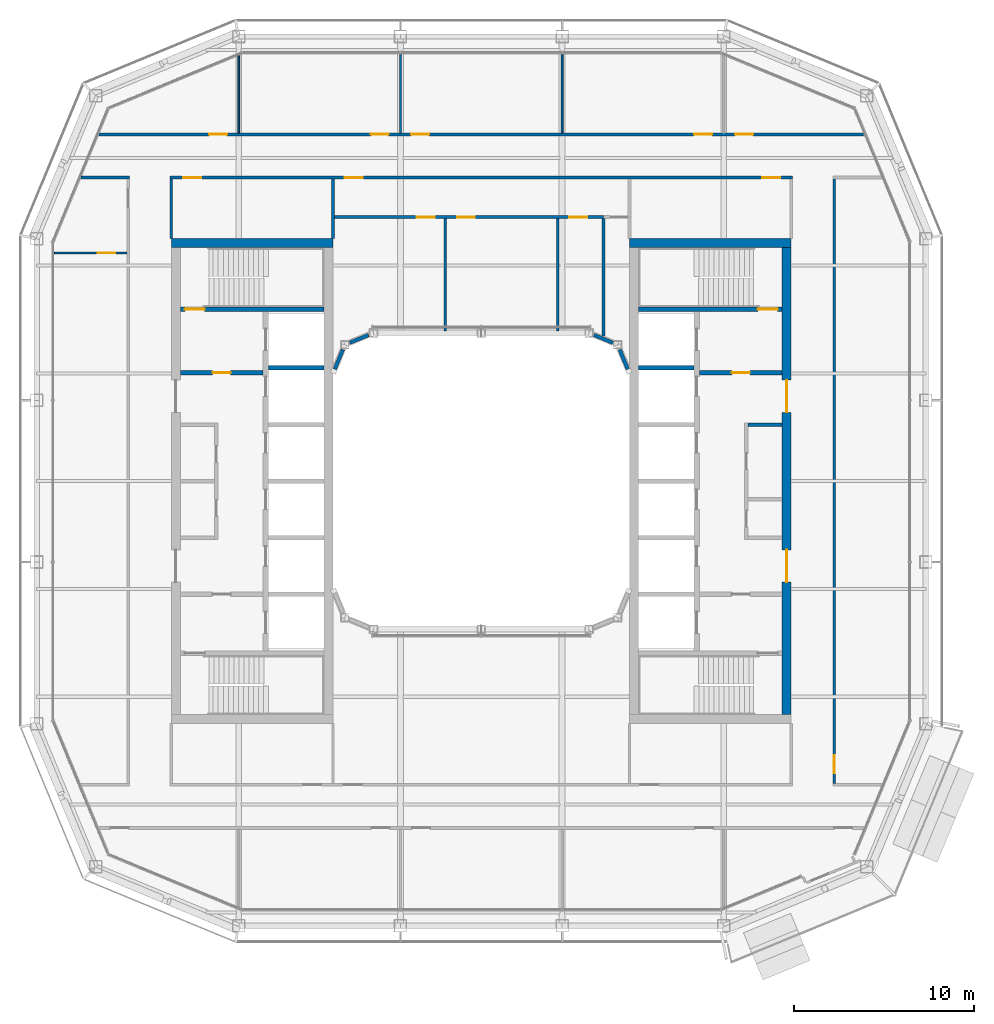
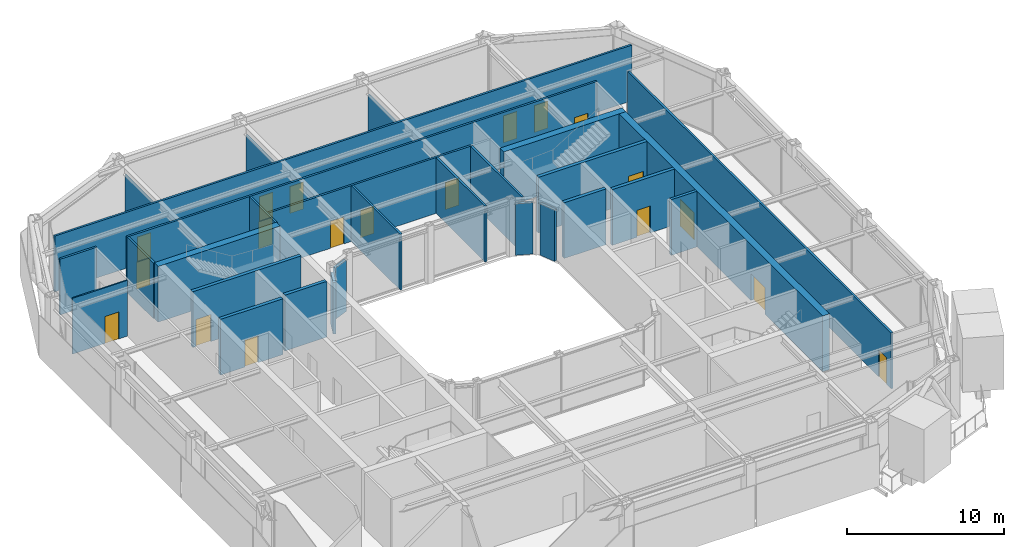
# One storey, part 13 of 21: 28 walls, 19 doors, 19 openings.
"""IFC4 building model written with IfcOpenShell, lengths in metres."""

from ifc_helpers import new_model, si_unit, direction, frame, frame_2d, origin, place, context, subcontext, project, spatial, rectangle, extrude, material, layer, layer_set, type_object, element, fill, save


model = new_model("IFC4")

# Units and contexts
model_context = context("Model", 3, precision=1e-05, world=origin(), true_north=direction((0.0, 1.0)))
body_context = subcontext(model_context, "Body", "Model", "MODEL_VIEW")
ifc_project = project(units=[si_unit("LENGTHUNIT", "METRE"), si_unit("AREAUNIT", "SQUARE_METRE"), si_unit("VOLUMEUNIT", "CUBIC_METRE"), si_unit("PLANEANGLEUNIT", "RADIAN"), si_unit("MASSUNIT", "GRAM", prefix="KILO")], contexts=[model_context])

# Site, building, storey
site_placement = place(None, origin())
site = spatial("IfcSite", under=ifc_project, at=site_placement, CompositionType="ELEMENT")
building_placement = place(site_placement, origin())
building = spatial("IfcBuilding", under=site, at=building_placement, Name="Siwar Civic Tower", CompositionType="ELEMENT")
storey_placement = place(building_placement, frame((0.0, 0.0, 339.199951171875)))
storey = spatial("IfcBuildingStorey", under=building, at=storey_placement, Name="L73", CompositionType="ELEMENT", Elevation=339.199951171875)

# Walls
ifc_material_1 = material(Name="Gypsum board on steel studs", Category="steel")
ifc_layer_1 = layer(ifc_material_1, 0.14990234375)
ifc_layer_set_1 = layer_set([ifc_layer_1], Name="Gypsum board on steel studs")
wall_type_1 = type_object("IfcWallType", Name="COMPARTMENT PARTITION 150 EI 60", PredefinedType="PARTITIONING", material=ifc_layer_set_1)
wall_1_placement = place(storey_placement, frame((6.800048828125, 8.069091796875, 0.0), z_axis=(0.0, 0.0, 1.0), x_axis=(0.0, 1.0, 0.0)))
element("IfcWall", 1, at=wall_1_placement, inside=storey, type_object=wall_type_1, Name="L73/wall/P25", PredefinedType="PARTITIONING", context=body_context, shape_type="SweptSolid", body=[
    extrude(rectangle(XDim=6.555908203125, YDim=0.14990234375, at=frame_2d((3.27783203125, 0.0))), origin(), (0.0, 0.0, 1.0), 4.35009765625),
])
ifc_material_2 = material(Name="Gypsum board on steel studs", Category="steel")
ifc_layer_2 = layer(ifc_material_2, 0.199951171875)
ifc_layer_set_2 = layer_set([ifc_layer_2], Name="Gypsum board on steel studs")
wall_type_2 = type_object("IfcWallType", Name="CORE-PARTITION-200", PredefinedType="PARTITIONING", material=ifc_layer_set_2)
wall_2_placement = place(storey_placement, frame((14.85009765625, 3.14990234375, 0.0), z_axis=(0.0, 0.0, 1.0), x_axis=(1.0, 0.0, 0.0)))
element("IfcWall", 2, at=wall_2_placement, inside=storey, type_object=wall_type_2, Name="Core partition E", PredefinedType="PARTITIONING", context=body_context, shape_type="SweptSolid", body=[
    extrude(rectangle(XDim=1.89990234375, YDim=0.199951171875, at=frame_2d((0.949951171875, 0.0))), origin(), (0.0, 0.0, 1.0), 4.35009765625),
])

# Wall, opening, door
ifc_material_3 = material(Name="Concrete C60/75", Category="concrete")
ifc_layer_3 = layer(ifc_material_3, 0.25)
ifc_layer_set_3 = layer_set([ifc_layer_3], Name="Concrete C60/75")
wall_type_3 = type_object("IfcWallType", Name="CORE-WALL-RC250", PredefinedType="SHEAR", material=ifc_layer_set_3)
wall_3_placement = place(storey_placement, frame((-12.14990234375, 6.02490234375, 0.0), z_axis=(0.0, 0.0, 1.0), x_axis=(-1.0, 0.0, 0.0)))
wall_3 = element("IfcWall", 3, at=wall_3_placement, inside=storey, type_object=wall_type_3, Name="Core wall W", PredefinedType="SHEAR", context=body_context, shape_type="SweptSolid", body=[
    extrude(rectangle(XDim=4.60009765625, YDim=0.25, at=frame_2d((2.300048828125, 0.0))), origin(), (0.0, 0.0, 1.0), 4.35009765625),
])
opening_1_placement = place(wall_3_placement, frame((1.800048828125, 0.0, 0.0)))
opening_1 = element("IfcOpeningElement", 4, at=opening_1_placement, cuts=wall_3, Name="Opening L73-CW01", PredefinedType="OPENING", context=body_context, shape_type="SweptSolid", body=[
    extrude(rectangle(XDim=1.0, YDim=2.10009765625, at=frame_2d((0.5, 1.050048828125))), frame((0.0, 0.135009765625, 0.0), z_axis=(0.0, -1.0, 0.0), x_axis=(1.0, 0.0, 0.0)), (0.0, 0.0, 1.0), 0.27001953125),
])
ifc_material_4 = material(Name="Steel door leaf", Category="steel")
door_type_1 = type_object("IfcDoorType", Name="CORE-DOOR-FD30S", OperationType="SINGLE_SWING_LEFT", PredefinedType="DOOR", material=ifc_material_4)
door_1_placement = place(opening_1_placement, origin())
door_1 = element("IfcDoor", 5, at=door_1_placement, inside=storey, type_object=door_type_1, Name="Firefighting lobby door L73-CW01", OperationType="SINGLE_SWING_LEFT", OverallHeight=2.10009765625, OverallWidth=1.0, PredefinedType="DOOR", context=body_context, shape_type="SweptSolid", body=[
    extrude(rectangle(XDim=1.0, YDim=2.10009765625, at=frame_2d((0.5, 1.050048828125))), frame((0.0, 0.02490234375, 0.0), z_axis=(0.0, -1.0, 0.0), x_axis=(1.0, 0.0, 0.0)), (0.0, 0.0, 1.0), 0.050048828125),
])
fill(opening_1, door_1)

# Wall
wall_4_placement = place(storey_placement, frame((-8.75, 6.300048828125, 0.0), z_axis=(0.0, 0.0, 1.0), x_axis=(-1.0, 0.0, 0.0)))
element("IfcWall", 6, at=wall_4_placement, inside=storey, type_object=wall_type_3, Name="Core wall W", PredefinedType="SHEAR", context=body_context, shape_type="SweptSolid", body=[
    extrude(rectangle(XDim=3.10009765625, YDim=0.25, at=frame_2d((1.550048828125, 0.0))), origin(), (0.0, 0.0, 1.0), 4.35009765625),
])

# Wall, opening, door
wall_5_placement = place(storey_placement, frame((-8.75, 9.574951171875, 0.0), z_axis=(0.0, 0.0, 1.0), x_axis=(-1.0, 0.0, 0.0)))
wall_5 = element("IfcWall", 7, at=wall_5_placement, inside=storey, type_object=wall_type_3, Name="Core wall W", PredefinedType="SHEAR", context=body_context, shape_type="SweptSolid", body=[
    extrude(rectangle(XDim=8.0, YDim=0.25, at=frame_2d((4.0, 0.0))), origin(), (0.0, 0.0, 1.0), 4.35009765625),
])
opening_2_placement = place(wall_5_placement, frame((6.64990234375, 0.0, 0.0)))
opening_2 = element("IfcOpeningElement", 8, at=opening_2_placement, cuts=wall_5, Name="Opening L73-CW03", PredefinedType="OPENING", context=body_context, shape_type="SweptSolid", body=[
    extrude(rectangle(XDim=1.10009765625, YDim=2.10009765625, at=frame_2d((0.550048828125, 1.050048828125))), frame((0.0, 0.135009765625, 0.0), z_axis=(0.0, -1.0, 0.0), x_axis=(1.0, 0.0, 0.0)), (0.0, 0.0, 1.0), 0.27001953125),
])
ifc_material_5 = material(Name="Steel door leaf", Category="steel")
door_type_2 = type_object("IfcDoorType", Name="CORE-DOOR-FD60S", OperationType="SINGLE_SWING_LEFT", PredefinedType="DOOR", material=ifc_material_5)
door_2_placement = place(opening_2_placement, origin())
door_2 = element("IfcDoor", 9, at=door_2_placement, inside=storey, type_object=door_type_2, Name="Stair door L73-CW03", OperationType="SINGLE_SWING_RIGHT", OverallHeight=2.10009765625, OverallWidth=1.10009765625, PredefinedType="DOOR", context=body_context, shape_type="SweptSolid", body=[
    extrude(rectangle(XDim=1.10009765625, YDim=2.10009765625, at=frame_2d((0.550048828125, 1.050048828125))), frame((0.0, 0.02490234375, 0.0), z_axis=(0.0, -1.0, 0.0), x_axis=(1.0, 0.0, 0.0)), (0.0, 0.0, 1.0), 0.050048828125),
])
fill(opening_2, door_2)

wall_6_placement = place(storey_placement, frame((12.14990234375, 6.02490234375, 0.0), z_axis=(0.0, 0.0, 1.0), x_axis=(1.0, 0.0, 0.0)))
wall_6 = element("IfcWall", 10, at=wall_6_placement, inside=storey, type_object=wall_type_3, Name="Core wall E", PredefinedType="SHEAR", context=body_context, shape_type="SweptSolid", body=[
    extrude(rectangle(XDim=4.60009765625, YDim=0.25, at=frame_2d((2.300048828125, 0.0))), origin(), (0.0, 0.0, 1.0), 4.35009765625),
])
opening_3_placement = place(wall_6_placement, frame((1.800048828125, 0.0, 0.0)))
opening_3 = element("IfcOpeningElement", 11, at=opening_3_placement, cuts=wall_6, Name="Opening L73-CE01", PredefinedType="OPENING", context=body_context, shape_type="SweptSolid", body=[
    extrude(rectangle(XDim=1.0, YDim=2.10009765625, at=frame_2d((0.5, 1.050048828125))), frame((0.0, 0.135009765625, 0.0), z_axis=(0.0, -1.0, 0.0), x_axis=(1.0, 0.0, 0.0)), (0.0, 0.0, 1.0), 0.27001953125),
])
door_3_placement = place(opening_3_placement, origin())
door_3 = element("IfcDoor", 12, at=door_3_placement, inside=storey, type_object=door_type_1, Name="Firefighting lobby door L73-CE01", OperationType="SINGLE_SWING_RIGHT", OverallHeight=2.10009765625, OverallWidth=1.0, PredefinedType="DOOR", context=body_context, shape_type="SweptSolid", body=[
    extrude(rectangle(XDim=1.0, YDim=2.10009765625, at=frame_2d((0.5, 1.050048828125))), frame((0.0, 0.02490234375, 0.0), z_axis=(0.0, -1.0, 0.0), x_axis=(1.0, 0.0, 0.0)), (0.0, 0.0, 1.0), 0.050048828125),
])
fill(opening_3, door_3)

# Wall
wall_7_placement = place(storey_placement, frame((8.75, 6.300048828125, 0.0), z_axis=(0.0, 0.0, 1.0), x_axis=(1.0, 0.0, 0.0)))
element("IfcWall", 13, at=wall_7_placement, inside=storey, type_object=wall_type_3, Name="Core wall E", PredefinedType="SHEAR", context=body_context, shape_type="SweptSolid", body=[
    extrude(rectangle(XDim=3.10009765625, YDim=0.25, at=frame_2d((1.550048828125, 0.0))), origin(), (0.0, 0.0, 1.0), 4.35009765625),
])

# Wall, opening, door
wall_8_placement = place(storey_placement, frame((8.75, 9.574951171875, 0.0), z_axis=(0.0, 0.0, 1.0), x_axis=(1.0, 0.0, 0.0)))
wall_8 = element("IfcWall", 14, at=wall_8_placement, inside=storey, type_object=wall_type_3, Name="Core wall E", PredefinedType="SHEAR", context=body_context, shape_type="SweptSolid", body=[
    extrude(rectangle(XDim=8.0, YDim=0.25, at=frame_2d((4.0, 0.0))), origin(), (0.0, 0.0, 1.0), 4.35009765625),
])
opening_4_placement = place(wall_8_placement, frame((6.64990234375, 0.0, 0.0)))
opening_4 = element("IfcOpeningElement", 15, at=opening_4_placement, cuts=wall_8, Name="Opening L73-CE03", PredefinedType="OPENING", context=body_context, shape_type="SweptSolid", body=[
    extrude(rectangle(XDim=1.10009765625, YDim=2.10009765625, at=frame_2d((0.550048828125, 1.050048828125))), frame((0.0, 0.135009765625, 0.0), z_axis=(0.0, -1.0, 0.0), x_axis=(1.0, 0.0, 0.0)), (0.0, 0.0, 1.0), 0.27001953125),
])
door_4_placement = place(opening_4_placement, origin())
door_4 = element("IfcDoor", 16, at=door_4_placement, inside=storey, type_object=door_type_2, Name="Stair door L73-CE03", OperationType="SINGLE_SWING_LEFT", OverallHeight=2.10009765625, OverallWidth=1.10009765625, PredefinedType="DOOR", context=body_context, shape_type="SweptSolid", body=[
    extrude(rectangle(XDim=1.10009765625, YDim=2.10009765625, at=frame_2d((0.550048828125, 1.050048828125))), frame((0.0, 0.02490234375, 0.0), z_axis=(0.0, -1.0, 0.0), x_axis=(1.0, 0.0, 0.0)), (0.0, 0.0, 1.0), 0.050048828125),
])
fill(opening_4, door_4)

# Wall
ifc_material_6 = material(Name="Concrete C60/75", Category="concrete")
ifc_layer_4 = layer(ifc_material_6, 0.5)
ifc_layer_set_4 = layer_set([ifc_layer_4], Name="Concrete C60/75")
wall_type_4 = type_object("IfcWallType", Name="CORE-WALL-RC500", PredefinedType="SHEAR", material=ifc_layer_set_4)
wall_9_placement = place(storey_placement, frame((-8.25, 13.25, 0.0), z_axis=(0.0, 0.0, 1.0), x_axis=(-1.0, 0.0, 0.0)))
element("IfcWall", 17, at=wall_9_placement, inside=storey, type_object=wall_type_4, Name="Core wall W", PredefinedType="SHEAR", context=body_context, shape_type="SweptSolid", body=[
    extrude(rectangle(XDim=9.0, YDim=0.5, at=frame_2d((4.5, 0.0))), origin(), (0.0, 0.0, 1.0), 4.35009765625),
])

# Wall, openings, doors
wall_10_placement = place(storey_placement, frame((17.0, -13.0, 0.0), z_axis=(0.0, 0.0, 1.0), x_axis=(0.0, 1.0, 0.0)))
wall_10 = element("IfcWall", 18, at=wall_10_placement, inside=storey, type_object=wall_type_4, Name="Core wall E", PredefinedType="SHEAR", context=body_context, shape_type="SweptSolid", body=[
    extrude(rectangle(XDim=26.0, YDim=0.5, at=frame_2d((13.0, 0.0))), origin(), (0.0, 0.0, 1.0), 4.35009765625),
])
opening_5_placement = place(wall_10_placement, frame((16.824951171875, 0.0, 0.0)))
opening_5 = element("IfcOpeningElement", 19, at=opening_5_placement, cuts=wall_10, Name="Opening L73-CE05", PredefinedType="OPENING", context=body_context, shape_type="SweptSolid", body=[
    extrude(rectangle(XDim=1.800048828125, YDim=2.10009765625, at=frame_2d((0.89990234375, 1.050048828125))), frame((0.0, 0.260009765625, 0.0), z_axis=(0.0, -1.0, 0.0), x_axis=(1.0, 0.0, 0.0)), (0.0, 0.0, 1.0), 0.52001953125),
])
opening_6_placement = place(wall_10_placement, frame((7.375, 0.0, 0.0)))
opening_6 = element("IfcOpeningElement", 20, at=opening_6_placement, cuts=wall_10, Name="Opening L73-CE06", PredefinedType="OPENING", context=body_context, shape_type="SweptSolid", body=[
    extrude(rectangle(XDim=1.800048828125, YDim=2.10009765625, at=frame_2d((0.89990234375, 1.050048828125))), frame((0.0, 0.260009765625, 0.0), z_axis=(0.0, -1.0, 0.0), x_axis=(1.0, 0.0, 0.0)), (0.0, 0.0, 1.0), 0.52001953125),
])
ifc_material_7 = material(Name="Steel door leaf", Category="steel")
door_type_3 = type_object("IfcDoorType", Name="CORE-DOOR-PORT", OperationType="DOUBLE_DOOR_DOUBLE_SWING", PredefinedType="DOOR", material=ifc_material_7)
door_5_placement = place(opening_5_placement, origin())
door_5 = element("IfcDoor", 21, at=door_5_placement, inside=storey, type_object=door_type_3, Name="Core entrance door L73-CE05", OperationType="DOUBLE_DOOR_DOUBLE_SWING", OverallHeight=2.10009765625, OverallWidth=1.800048828125, PredefinedType="DOOR", context=body_context, shape_type="SweptSolid", body=[
    extrude(rectangle(XDim=1.800048828125, YDim=2.10009765625, at=frame_2d((0.89990234375, 1.050048828125))), frame((0.0, 0.02490234375, 0.0), z_axis=(0.0, -1.0, 0.0), x_axis=(1.0, 0.0, 0.0)), (0.0, 0.0, 1.0), 0.050048828125),
])
fill(opening_5, door_5)
door_6_placement = place(opening_6_placement, origin())
door_6 = element("IfcDoor", 22, at=door_6_placement, inside=storey, type_object=door_type_3, Name="Core entrance door L73-CE06", OperationType="DOUBLE_DOOR_DOUBLE_SWING", OverallHeight=2.10009765625, OverallWidth=1.800048828125, PredefinedType="DOOR", context=body_context, shape_type="SweptSolid", body=[
    extrude(rectangle(XDim=1.800048828125, YDim=2.10009765625, at=frame_2d((0.89990234375, 1.050048828125))), frame((0.0, 0.02490234375, 0.0), z_axis=(0.0, -1.0, 0.0), x_axis=(1.0, 0.0, 0.0)), (0.0, 0.0, 1.0), 0.050048828125),
])
fill(opening_6, door_6)

# Wall
wall_11_placement = place(storey_placement, frame((8.25, 13.25, 0.0), z_axis=(0.0, 0.0, 1.0), x_axis=(1.0, 0.0, 0.0)))
element("IfcWall", 23, at=wall_11_placement, inside=storey, type_object=wall_type_4, Name="Core wall E", PredefinedType="SHEAR", context=body_context, shape_type="SweptSolid", body=[
    extrude(rectangle(XDim=9.0, YDim=0.5, at=frame_2d((4.5, 0.0))), origin(), (0.0, 0.0, 1.0), 4.35009765625),
])

# Wall, openings, doors
ifc_material_8 = material(Name="Gypsum board on steel studs", Category="steel")
ifc_layer_5 = layer(ifc_material_8, 0.14990234375)
ifc_layer_set_5 = layer_set([ifc_layer_5], Name="Gypsum board on steel studs")
wall_type_5 = type_object("IfcWallType", Name="CORRIDOR PARTITION 150 EI 30", PredefinedType="PARTITIONING", material=ifc_layer_set_5)
wall_12_placement = place(storey_placement, frame((-8.175048828125, 14.699951171875, 0.0), z_axis=(0.0, 0.0, 1.0), x_axis=(1.0, 0.0, 0.0)))
wall_12 = element("IfcWall", 24, at=wall_12_placement, inside=storey, type_object=wall_type_5, Name="L73/wall/P06", PredefinedType="PARTITIONING", context=body_context, shape_type="SweptSolid", body=[
    extrude(rectangle(XDim=14.97509765625, YDim=0.14990234375, at=frame_2d((7.487548828125, 0.0))), origin(), (0.0, 0.0, 1.0), 4.35009765625),
])
opening_7_placement = place(wall_12_placement, frame((4.574951171875, 0.0, 0.0)))
opening_7 = element("IfcOpeningElement", 25, at=opening_7_placement, cuts=wall_12, Name="Opening D3", PredefinedType="OPENING", context=body_context, shape_type="SweptSolid", body=[
    extrude(rectangle(XDim=1.0, YDim=2.10009765625, at=frame_2d((0.5, 1.050048828125))), frame((0.0, 0.0849609375, 0.0), z_axis=(0.0, -1.0, 0.0), x_axis=(1.0, 0.0, 0.0)), (0.0, 0.0, 1.0), 0.169921875),
])
opening_8_placement = place(wall_12_placement, frame((6.824951171875, 0.0, 0.0)))
opening_8 = element("IfcOpeningElement", 26, at=opening_8_placement, cuts=wall_12, Name="Opening D3", PredefinedType="OPENING", context=body_context, shape_type="SweptSolid", body=[
    extrude(rectangle(XDim=1.0, YDim=2.10009765625, at=frame_2d((0.5, 1.050048828125))), frame((0.0, 0.0849609375, 0.0), z_axis=(0.0, -1.0, 0.0), x_axis=(1.0, 0.0, 0.0)), (0.0, 0.0, 1.0), 0.169921875),
])
opening_9_placement = place(wall_12_placement, frame((13.074951171875, 0.0, 0.0)))
opening_9 = element("IfcOpeningElement", 27, at=opening_9_placement, cuts=wall_12, Name="Opening D3", PredefinedType="OPENING", context=body_context, shape_type="SweptSolid", body=[
    extrude(rectangle(XDim=1.0, YDim=2.10009765625, at=frame_2d((0.5, 1.050048828125))), frame((0.0, 0.0849609375, 0.0), z_axis=(0.0, -1.0, 0.0), x_axis=(1.0, 0.0, 0.0)), (0.0, 0.0, 1.0), 0.169921875),
])
ifc_material_9 = material(Name="Timber, painted", Category="wood")
door_type_4 = type_object("IfcDoorType", Name="DOOR 1000 X 2100 WC", OperationType="SINGLE_SWING_LEFT", PredefinedType="DOOR", material=ifc_material_9)
door_7_placement = place(opening_7_placement, origin())
door_7 = element("IfcDoor", 28, at=door_7_placement, inside=storey, type_object=door_type_4, Name="L73-D12", OperationType="SINGLE_SWING_RIGHT", OverallHeight=2.10009765625, OverallWidth=1.0, PredefinedType="DOOR", context=body_context, shape_type="SweptSolid", body=[
    extrude(rectangle(XDim=1.0, YDim=2.10009765625, at=frame_2d((0.5, 1.050048828125))), frame((0.0, 0.02490234375, 0.0), z_axis=(0.0, -1.0, 0.0), x_axis=(1.0, 0.0, 0.0)), (0.0, 0.0, 1.0), 0.050048828125),
])
fill(opening_7, door_7)
door_8_placement = place(opening_8_placement, origin())
door_8 = element("IfcDoor", 29, at=door_8_placement, inside=storey, type_object=door_type_4, Name="L73-D13", OperationType="SINGLE_SWING_LEFT", OverallHeight=2.10009765625, OverallWidth=1.0, PredefinedType="DOOR", context=body_context, shape_type="SweptSolid", body=[
    extrude(rectangle(XDim=1.0, YDim=2.10009765625, at=frame_2d((0.5, 1.050048828125))), frame((0.0, 0.02490234375, 0.0), z_axis=(0.0, -1.0, 0.0), x_axis=(1.0, 0.0, 0.0)), (0.0, 0.0, 1.0), 0.050048828125),
])
fill(opening_8, door_8)
door_9_placement = place(opening_9_placement, origin())
door_9 = element("IfcDoor", 30, at=door_9_placement, inside=storey, type_object=door_type_4, Name="L73-D14", OperationType="SINGLE_SWING_RIGHT", OverallHeight=2.10009765625, OverallWidth=1.0, PredefinedType="DOOR", context=body_context, shape_type="SweptSolid", body=[
    extrude(rectangle(XDim=1.0, YDim=2.10009765625, at=frame_2d((0.5, 1.050048828125))), frame((0.0, 0.02490234375, 0.0), z_axis=(0.0, -1.0, 0.0), x_axis=(1.0, 0.0, 0.0)), (0.0, 0.0, 1.0), 0.050048828125),
])
fill(opening_9, door_9)

# Wall
wall_13_placement = place(storey_placement, frame((-22.27001953125, 16.89990234375, 0.0), z_axis=(0.0, 0.0, 1.0), x_axis=(1.0, 0.0, 0.0)))
element("IfcWall", 31, at=wall_13_placement, inside=storey, type_object=wall_type_5, Name="L73/wall/P08", PredefinedType="PARTITIONING", context=body_context, shape_type="SweptSolid", body=[
    extrude(rectangle(XDim=2.695068359375, YDim=0.14990234375, at=frame_2d((1.34765625, 0.0))), origin(), (0.0, 0.0, 1.0), 4.35009765625),
])

# Wall, openings, doors
wall_14_placement = place(storey_placement, frame((-17.324951171875, 16.89990234375, 0.0), z_axis=(0.0, 0.0, 1.0), x_axis=(1.0, 0.0, 0.0)))
wall_14 = element("IfcWall", 32, at=wall_14_placement, inside=storey, type_object=wall_type_5, Name="L73/wall/P09", PredefinedType="PARTITIONING", context=body_context, shape_type="SweptSolid", body=[
    extrude(rectangle(XDim=34.64990234375, YDim=0.14990234375, at=frame_2d((17.324951171875, 0.0))), origin(), (0.0, 0.0, 1.0), 4.35009765625),
])
opening_10_placement = place(wall_14_placement, frame((9.72509765625, 0.0, 0.0)))
opening_10 = element("IfcOpeningElement", 33, at=opening_10_placement, cuts=wall_14, Name="Opening D1", PredefinedType="OPENING", context=body_context, shape_type="SweptSolid", body=[
    extrude(rectangle(XDim=1.0, YDim=2.10009765625, at=frame_2d((0.5, 1.050048828125))), frame((0.0, 0.0849609375, 0.0), z_axis=(0.0, -1.0, 0.0), x_axis=(1.0, 0.0, 0.0)), (0.0, 0.0, 1.0), 0.169921875),
])
opening_11_placement = place(wall_14_placement, frame((0.72509765625, 0.0, 0.0)))
opening_11 = element("IfcOpeningElement", 34, at=opening_11_placement, cuts=wall_14, Name="Opening D1", PredefinedType="OPENING", context=body_context, shape_type="SweptSolid", body=[
    extrude(rectangle(XDim=1.0, YDim=2.10009765625, at=frame_2d((0.5, 1.050048828125))), frame((0.0, 0.0849609375, 0.0), z_axis=(0.0, -1.0, 0.0), x_axis=(1.0, 0.0, 0.0)), (0.0, 0.0, 1.0), 0.169921875),
])
opening_12_placement = place(wall_14_placement, frame((32.97509765625, 0.0, 0.0)))
opening_12 = element("IfcOpeningElement", 35, at=opening_12_placement, cuts=wall_14, Name="Opening D1", PredefinedType="OPENING", context=body_context, shape_type="SweptSolid", body=[
    extrude(rectangle(XDim=1.0, YDim=2.10009765625, at=frame_2d((0.5, 1.050048828125))), frame((0.0, 0.0849609375, 0.0), z_axis=(0.0, -1.0, 0.0), x_axis=(1.0, 0.0, 0.0)), (0.0, 0.0, 1.0), 0.169921875),
])
ifc_material_10 = material(Name="Timber, painted", Category="wood")
door_type_5 = type_object("IfcDoorType", Name="DOOR 1000 X 2100 FD30", OperationType="SINGLE_SWING_LEFT", PredefinedType="DOOR", material=ifc_material_10)
door_10_placement = place(opening_10_placement, origin())
door_10 = element("IfcDoor", 36, at=door_10_placement, inside=storey, type_object=door_type_5, Name="L73-D11", OperationType="SINGLE_SWING_LEFT", OverallHeight=2.10009765625, OverallWidth=1.0, PredefinedType="DOOR", context=body_context, shape_type="SweptSolid", body=[
    extrude(rectangle(XDim=1.0, YDim=2.10009765625, at=frame_2d((0.5, 1.050048828125))), frame((0.0, 0.02490234375, 0.0), z_axis=(0.0, -1.0, 0.0), x_axis=(1.0, 0.0, 0.0)), (0.0, 0.0, 1.0), 0.050048828125),
])
fill(opening_10, door_10)
door_11_placement = place(opening_11_placement, origin())
door_11 = element("IfcDoor", 37, at=door_11_placement, inside=storey, type_object=door_type_5, Name="L73-D17", OperationType="SINGLE_SWING_LEFT", OverallHeight=2.10009765625, OverallWidth=1.0, PredefinedType="DOOR", context=body_context, shape_type="SweptSolid", body=[
    extrude(rectangle(XDim=1.0, YDim=2.10009765625, at=frame_2d((0.5, 1.050048828125))), frame((0.0, 0.02490234375, 0.0), z_axis=(0.0, -1.0, 0.0), x_axis=(1.0, 0.0, 0.0)), (0.0, 0.0, 1.0), 0.050048828125),
])
fill(opening_11, door_11)
door_12_placement = place(opening_12_placement, origin())
door_12 = element("IfcDoor", 38, at=door_12_placement, inside=storey, type_object=door_type_5, Name="L73-D18", OperationType="SINGLE_SWING_RIGHT", OverallHeight=2.10009765625, OverallWidth=1.0, PredefinedType="DOOR", context=body_context, shape_type="SweptSolid", body=[
    extrude(rectangle(XDim=1.0, YDim=2.10009765625, at=frame_2d((0.5, 1.050048828125))), frame((0.0, 0.02490234375, 0.0), z_axis=(0.0, -1.0, 0.0), x_axis=(1.0, 0.0, 0.0)), (0.0, 0.0, 1.0), 0.050048828125),
])
fill(opening_12, door_12)

wall_15_placement = place(storey_placement, frame((-21.27587890625, 19.300048828125, 0.0), z_axis=(0.0, 0.0, 1.0), x_axis=(1.0, 0.0, 0.0)))
wall_15 = element("IfcWall", 39, at=wall_15_placement, inside=storey, type_object=wall_type_5, Name="L73/wall/P11", PredefinedType="PARTITIONING", context=body_context, shape_type="SweptSolid", body=[
    extrude(rectangle(XDim=42.5517578125, YDim=0.14990234375, at=frame_2d((21.27587890625, 0.0))), origin(), (0.0, 0.0, 1.0), 4.35009765625),
])
opening_13_placement = place(wall_15_placement, frame((15.1259765625, 0.0, 0.0)))
opening_13 = element("IfcOpeningElement", 40, at=opening_13_placement, cuts=wall_15, Name="Opening D1", PredefinedType="OPENING", context=body_context, shape_type="SweptSolid", body=[
    extrude(rectangle(XDim=1.0, YDim=2.10009765625, at=frame_2d((0.5, 1.050048828125))), frame((0.0, 0.0849609375, 0.0), z_axis=(0.0, -1.0, 0.0), x_axis=(1.0, 0.0, 0.0)), (0.0, 0.0, 1.0), 0.169921875),
])
opening_14_placement = place(wall_15_placement, frame((17.3759765625, 0.0, 0.0)))
opening_14 = element("IfcOpeningElement", 41, at=opening_14_placement, cuts=wall_15, Name="Opening D1", PredefinedType="OPENING", context=body_context, shape_type="SweptSolid", body=[
    extrude(rectangle(XDim=1.0, YDim=2.10009765625, at=frame_2d((0.5, 1.050048828125))), frame((0.0, 0.0849609375, 0.0), z_axis=(0.0, -1.0, 0.0), x_axis=(1.0, 0.0, 0.0)), (0.0, 0.0, 1.0), 0.169921875),
])
opening_15_placement = place(wall_15_placement, frame((33.1259765625, 0.0, 0.0)))
opening_15 = element("IfcOpeningElement", 42, at=opening_15_placement, cuts=wall_15, Name="Opening D1", PredefinedType="OPENING", context=body_context, shape_type="SweptSolid", body=[
    extrude(rectangle(XDim=1.0, YDim=2.10009765625, at=frame_2d((0.5, 1.050048828125))), frame((0.0, 0.0849609375, 0.0), z_axis=(0.0, -1.0, 0.0), x_axis=(1.0, 0.0, 0.0)), (0.0, 0.0, 1.0), 0.169921875),
])
opening_16_placement = place(wall_15_placement, frame((6.1259765625, 0.0, 0.0)))
opening_16 = element("IfcOpeningElement", 43, at=opening_16_placement, cuts=wall_15, Name="Opening D1", PredefinedType="OPENING", context=body_context, shape_type="SweptSolid", body=[
    extrude(rectangle(XDim=1.0, YDim=2.10009765625, at=frame_2d((0.5, 1.050048828125))), frame((0.0, 0.0849609375, 0.0), z_axis=(0.0, -1.0, 0.0), x_axis=(1.0, 0.0, 0.0)), (0.0, 0.0, 1.0), 0.169921875),
])
opening_17_placement = place(wall_15_placement, frame((35.402099609375, 0.0, 0.0)))
opening_17 = element("IfcOpeningElement", 44, at=opening_17_placement, cuts=wall_15, Name="Opening D1", PredefinedType="OPENING", context=body_context, shape_type="SweptSolid", body=[
    extrude(rectangle(XDim=1.0, YDim=2.10009765625, at=frame_2d((0.5, 1.050048828125))), frame((0.0, 0.0849609375, 0.0), z_axis=(0.0, -1.0, 0.0), x_axis=(1.0, 0.0, 0.0)), (0.0, 0.0, 1.0), 0.169921875),
])
door_13_placement = place(opening_13_placement, origin())
door_13 = element("IfcDoor", 45, at=door_13_placement, inside=storey, type_object=door_type_5, Name="L73-D01", OperationType="SINGLE_SWING_LEFT", OverallHeight=2.10009765625, OverallWidth=1.0, PredefinedType="DOOR", context=body_context, shape_type="SweptSolid", body=[
    extrude(rectangle(XDim=1.0, YDim=2.10009765625, at=frame_2d((0.5, 1.050048828125))), frame((0.0, 0.02490234375, 0.0), z_axis=(0.0, -1.0, 0.0), x_axis=(1.0, 0.0, 0.0)), (0.0, 0.0, 1.0), 0.050048828125),
])
fill(opening_13, door_13)
door_14_placement = place(opening_14_placement, origin())
door_14 = element("IfcDoor", 46, at=door_14_placement, inside=storey, type_object=door_type_5, Name="L73-D02", OperationType="SINGLE_SWING_RIGHT", OverallHeight=2.10009765625, OverallWidth=1.0, PredefinedType="DOOR", context=body_context, shape_type="SweptSolid", body=[
    extrude(rectangle(XDim=1.0, YDim=2.10009765625, at=frame_2d((0.5, 1.050048828125))), frame((0.0, 0.02490234375, 0.0), z_axis=(0.0, -1.0, 0.0), x_axis=(1.0, 0.0, 0.0)), (0.0, 0.0, 1.0), 0.050048828125),
])
fill(opening_14, door_14)
door_15_placement = place(opening_15_placement, origin())
door_15 = element("IfcDoor", 47, at=door_15_placement, inside=storey, type_object=door_type_5, Name="L73-D03", OperationType="SINGLE_SWING_LEFT", OverallHeight=2.10009765625, OverallWidth=1.0, PredefinedType="DOOR", context=body_context, shape_type="SweptSolid", body=[
    extrude(rectangle(XDim=1.0, YDim=2.10009765625, at=frame_2d((0.5, 1.050048828125))), frame((0.0, 0.02490234375, 0.0), z_axis=(0.0, -1.0, 0.0), x_axis=(1.0, 0.0, 0.0)), (0.0, 0.0, 1.0), 0.050048828125),
])
fill(opening_15, door_15)
door_16_placement = place(opening_16_placement, origin())
door_16 = element("IfcDoor", 48, at=door_16_placement, inside=storey, type_object=door_type_5, Name="L73-D07", OperationType="SINGLE_SWING_LEFT", OverallHeight=2.10009765625, OverallWidth=1.0, PredefinedType="DOOR", context=body_context, shape_type="SweptSolid", body=[
    extrude(rectangle(XDim=1.0, YDim=2.10009765625, at=frame_2d((0.5, 1.050048828125))), frame((0.0, 0.02490234375, 0.0), z_axis=(0.0, -1.0, 0.0), x_axis=(1.0, 0.0, 0.0)), (0.0, 0.0, 1.0), 0.050048828125),
])
fill(opening_16, door_16)
door_17_placement = place(opening_17_placement, origin())
door_17 = element("IfcDoor", 49, at=door_17_placement, inside=storey, type_object=door_type_5, Name="L73-D08", OperationType="SINGLE_SWING_RIGHT", OverallHeight=2.10009765625, OverallWidth=1.0, PredefinedType="DOOR", context=body_context, shape_type="SweptSolid", body=[
    extrude(rectangle(XDim=1.0, YDim=2.10009765625, at=frame_2d((0.5, 1.050048828125))), frame((0.0, 0.02490234375, 0.0), z_axis=(0.0, -1.0, 0.0), x_axis=(1.0, 0.0, 0.0)), (0.0, 0.0, 1.0), 0.050048828125),
])
fill(opening_17, door_17)

# Walls
for number, where, z_axis, x_axis, name in (
    (50, (-17.25, 13.5, 0.0), (0.0, 0.0, 1.0), (0.0, 1.0, 0.0), "L73/wall/P14"),
    (51, (-8.25, 13.5, 0.0), (0.0, 0.0, 1.0), (0.0, 1.0, 0.0), "L73/wall/P18"),
):
    element("IfcWall", number, at=place(storey_placement, frame(where, z_axis=z_axis, x_axis=x_axis)), inside=storey, type_object=wall_type_5, Name=name, PredefinedType="PARTITIONING", context=body_context, shape_type="SweptSolid", body=[
        extrude(rectangle(XDim=3.324951171875, YDim=0.14990234375, at=frame_2d((1.66259765625, 0.0))), origin(), (0.0, 0.0, 1.0), 4.35009765625),
    ])
for number, where, z_axis, x_axis, name in (
    (52, (-2.0, 8.3701171875, 0.0), (0.0, 0.0, 1.0), (0.0, 1.0, 0.0), "L73/wall/P21"),
    (53, (4.25, 8.3701171875, 0.0), (0.0, 0.0, 1.0), (0.0, 1.0, 0.0), "L73/wall/P22"),
):
    element("IfcWall", number, at=place(storey_placement, frame(where, z_axis=z_axis, x_axis=x_axis)), inside=storey, type_object=wall_type_5, Name=name, PredefinedType="PARTITIONING", context=body_context, shape_type="SweptSolid", body=[
        extrude(rectangle(XDim=6.2548828125, YDim=0.14990234375, at=frame_2d((3.12744140625, 0.0))), origin(), (0.0, 0.0, 1.0), 4.35009765625),
    ])

# Wall, opening, door
wall_16_placement = place(storey_placement, frame((19.64990234375, -16.824951171875, 0.0), z_axis=(0.0, 0.0, 1.0), x_axis=(0.0, 1.0, 0.0)))
wall_16 = element("IfcWall", 54, at=wall_16_placement, inside=storey, type_object=wall_type_5, Name="L73/wall/P33", PredefinedType="PARTITIONING", context=body_context, shape_type="SweptSolid", body=[
    extrude(rectangle(XDim=33.64990234375, YDim=0.14990234375, at=frame_2d((16.824951171875, 0.0))), origin(), (0.0, 0.0, 1.0), 4.35009765625),
])
opening_18_placement = place(wall_16_placement, frame((0.574951171875, 0.0, 0.0)))
opening_18 = element("IfcOpeningElement", 55, at=opening_18_placement, cuts=wall_16, Name="Opening D1", PredefinedType="OPENING", context=body_context, shape_type="SweptSolid", body=[
    extrude(rectangle(XDim=1.0, YDim=2.10009765625, at=frame_2d((0.5, 1.050048828125))), frame((0.0, 0.0849609375, 0.0), z_axis=(0.0, -1.0, 0.0), x_axis=(1.0, 0.0, 0.0)), (0.0, 0.0, 1.0), 0.169921875),
])
door_18_placement = place(opening_18_placement, origin())
door_18 = element("IfcDoor", 56, at=door_18_placement, inside=storey, type_object=door_type_5, Name="L73-D23", OperationType="SINGLE_SWING_LEFT", OverallHeight=2.10009765625, OverallWidth=1.0, PredefinedType="DOOR", context=body_context, shape_type="SweptSolid", body=[
    extrude(rectangle(XDim=1.0, YDim=2.10009765625, at=frame_2d((0.5, 1.050048828125))), frame((0.0, 0.02490234375, 0.0), z_axis=(0.0, -1.0, 0.0), x_axis=(1.0, 0.0, 0.0)), (0.0, 0.0, 1.0), 0.050048828125),
])
fill(opening_18, door_18)

# Walls
ifc_material_11 = material(Name="Aluminium clad insulated panel", Category="aluminium")
ifc_layer_6 = layer(ifc_material_11, 0.199951171875)
ifc_layer_set_6 = layer_set([ifc_layer_6], Name="Aluminium clad insulated panel")
wall_type_6 = type_object("IfcWallType", Name="ENV-WALL-WELL", PredefinedType="STANDARD", material=ifc_layer_set_6)
wall_17_placement = place(storey_placement, frame((8.154296875, 6.23095703125, 0.0), z_axis=(0.0, 0.0, 1.0), x_axis=(-0.382760542083, 0.92384758885, 0.0)))
element("IfcWall", 57, at=wall_17_placement, inside=storey, type_object=wall_type_6, Name="Light well corner wall NE1", PredefinedType="STANDARD", context=body_context, shape_type="SweptSolid", body=[
    extrude(rectangle(XDim=1.177978515625, YDim=0.199951171875, at=frame_2d((0.5888671875, 0.0))), origin(), (0.0, 0.0, 1.0), 4.010009765625),
])
for number, where, z_axis, x_axis, name in (
    (58, (7.3193359375, 7.703369140625, 0.0), (0.0, 0.0, 1.0), (-0.923864661962, 0.382719331074, 0.0), "Light well corner wall NE2"),
    (59, (-6.271484375, 8.137451171875, 0.0), (0.0, 0.0, 1.0), (-0.923864661962, -0.382719331074, 0.0), "Light well corner wall NW1"),
):
    element("IfcWall", number, at=place(storey_placement, frame(where, z_axis=z_axis, x_axis=x_axis)), inside=storey, type_object=wall_type_6, Name=name, PredefinedType="STANDARD", context=body_context, shape_type="SweptSolid", body=[
        extrude(rectangle(XDim=1.13427734375, YDim=0.199951171875, at=frame_2d((0.567138671875, 0.0))), origin(), (0.0, 0.0, 1.0), 4.010009765625),
    ])
wall_18_placement = place(storey_placement, frame((-7.703369140625, 7.3193359375, 0.0), z_axis=(0.0, 0.0, 1.0), x_axis=(-0.382760542083, -0.92384758885, 0.0)))
element("IfcWall", 60, at=wall_18_placement, inside=storey, type_object=wall_type_6, Name="Light well corner wall NW2", PredefinedType="STANDARD", context=body_context, shape_type="SweptSolid", body=[
    extrude(rectangle(XDim=1.177978515625, YDim=0.199951171875, at=frame_2d((0.5888671875, 0.0))), origin(), (0.0, 0.0, 1.0), 4.010009765625),
])

# Wall, opening, door
ifc_material_12 = material(Name="Gypsum board on steel studs", Category="steel")
ifc_layer_7 = layer(ifc_material_12, 0.10009765625)
ifc_layer_set_7 = layer_set([ifc_layer_7], Name="Gypsum board on steel studs")
wall_type_7 = type_object("IfcWallType", Name="PARTITION 100 GYPSUM", PredefinedType="PARTITIONING", material=ifc_layer_set_7)
wall_19_placement = place(storey_placement, frame((-23.760009765625, 12.699951171875, 0.0), z_axis=(0.0, 0.0, 1.0), x_axis=(1.0, 0.0, 0.0)))
wall_19 = element("IfcWall", 61, at=wall_19_placement, inside=storey, type_object=wall_type_7, Name="L73/wall/P05", PredefinedType="PARTITIONING", context=body_context, shape_type="SweptSolid", body=[
    extrude(rectangle(XDim=4.034912109375, YDim=0.10009765625, at=frame_2d((2.017578125, 0.0))), origin(), (0.0, 0.0, 1.0), 4.35009765625),
])
opening_19_placement = place(wall_19_placement, frame((2.39990234375, 0.0, 0.0)))
opening_19 = element("IfcOpeningElement", 62, at=opening_19_placement, cuts=wall_19, Name="Opening D2", PredefinedType="OPENING", context=body_context, shape_type="SweptSolid", body=[
    extrude(rectangle(XDim=1.0, YDim=2.10009765625, at=frame_2d((0.5, 1.050048828125))), frame((0.0, 0.06005859375, 0.0), z_axis=(0.0, -1.0, 0.0), x_axis=(1.0, 0.0, 0.0)), (0.0, 0.0, 1.0), 0.1201171875),
])
ifc_material_13 = material(Name="Timber, painted", Category="wood")
door_type_6 = type_object("IfcDoorType", Name="DOOR 1000 X 2100", OperationType="SINGLE_SWING_LEFT", PredefinedType="DOOR", material=ifc_material_13)
door_19_placement = place(opening_19_placement, origin())
door_19 = element("IfcDoor", 63, at=door_19_placement, inside=storey, type_object=door_type_6, Name="L73-D22", OperationType="SINGLE_SWING_RIGHT", OverallHeight=2.10009765625, OverallWidth=1.0, PredefinedType="DOOR", context=body_context, shape_type="SweptSolid", body=[
    extrude(rectangle(XDim=1.0, YDim=2.10009765625, at=frame_2d((0.5, 1.050048828125))), frame((0.0, 0.02490234375, 0.0), z_axis=(0.0, -1.0, 0.0), x_axis=(1.0, 0.0, 0.0)), (0.0, 0.0, 1.0), 0.050048828125),
])
fill(opening_19, door_19)

# Walls
wall_20_placement = place(storey_placement, frame((-13.5, 19.375, 0.0), z_axis=(0.0, 0.0, 1.0), x_axis=(0.0, 1.0, 0.0)))
element("IfcWall", 64, at=wall_20_placement, inside=storey, type_object=wall_type_7, Name="L73/wall/P16", PredefinedType="PARTITIONING", context=body_context, shape_type="SweptSolid", body=[
    extrude(rectangle(XDim=4.302978515625, YDim=0.10009765625, at=frame_2d((2.1513671875, 0.0))), origin(), (0.0, 0.0, 1.0), 3.75),
])
for number, where, z_axis, x_axis, name in (
    (65, (-4.5, 19.375, 0.0), (0.0, 0.0, 1.0), (0.0, 1.0, 0.0), "L73/wall/P20"),
    (66, (4.5, 19.375, 0.0), (0.0, 0.0, 1.0), (0.0, 1.0, 0.0), "L73/wall/P24"),
):
    element("IfcWall", number, at=place(storey_placement, frame(where, z_axis=z_axis, x_axis=x_axis)), inside=storey, type_object=wall_type_7, Name=name, PredefinedType="PARTITIONING", context=body_context, shape_type="SweptSolid", body=[
        extrude(rectangle(XDim=4.385009765625, YDim=0.10009765625, at=frame_2d((2.1923828125, 0.0))), origin(), (0.0, 0.0, 1.0), 3.650146484375),
    ])

save(model, "model.ifc")
